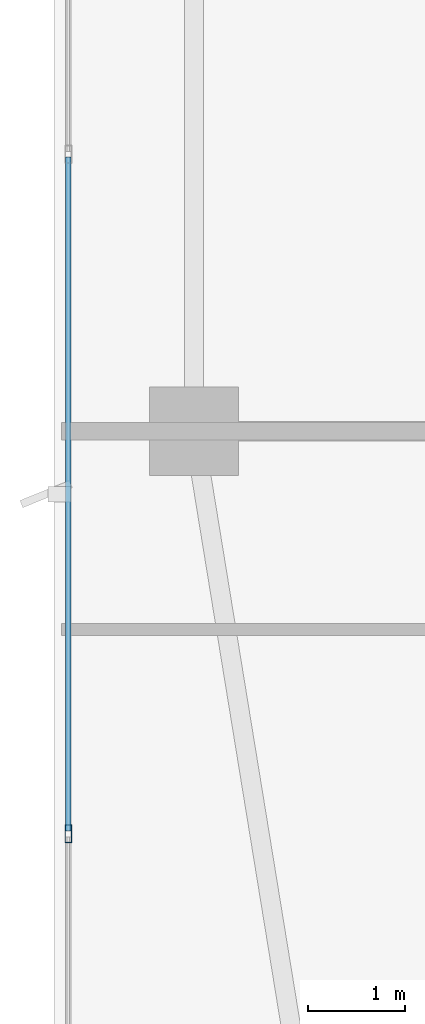
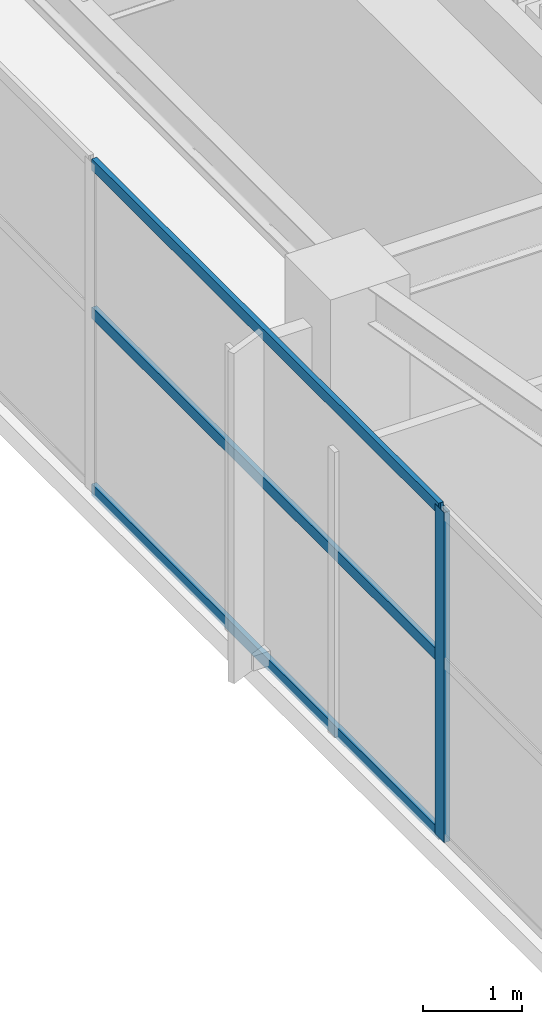
# One storey, part 4 of 27: 4 members, 1 element without a shape of its own.
"""IFC4 building model written with IfcOpenShell, lengths in metres."""

from ifc_helpers import new_model, si_unit, direction, frame, origin, origin_2d, place, context, subcontext, project, spatial, hollow_rectangle, extrude, material, layer, layer_set, material_profile, profile_set, type_object, element, aggregate, save


model = new_model("IFC4")

# Units and contexts
model_context = context("Model", 3, precision=1e-05, world=origin(), true_north=direction((0.0, 1.0)))
body_context = subcontext(model_context, "Body", "Model", "MODEL_VIEW")
ifc_project = project(units=[si_unit("LENGTHUNIT", "METRE"), si_unit("AREAUNIT", "SQUARE_METRE"), si_unit("VOLUMEUNIT", "CUBIC_METRE"), si_unit("PLANEANGLEUNIT", "RADIAN"), si_unit("MASSUNIT", "GRAM", prefix="KILO")], contexts=[model_context])

# Site, building, storey
site_placement = place(None, origin())
site = spatial("IfcSite", under=ifc_project, at=site_placement, CompositionType="ELEMENT")
building_placement = place(site_placement, origin())
building = spatial("IfcBuilding", under=site, at=building_placement, Name="Calvorn Quay Hotel", CompositionType="ELEMENT")
storey_placement = place(building_placement, frame((0.0, 0.0, 239.300048828125)))
storey = spatial("IfcBuildingStorey", under=building, at=storey_placement, Name="L59", CompositionType="ELEMENT", Elevation=239.300048828125)

# Curtain wall, members
ifc_material_1 = material(Name="Champagne Bronze Anodised Aluminium and Low-E Glass", Category="aluminium")
ifc_layer = layer(ifc_material_1, 0.219970703125)
ifc_layer_set = layer_set([ifc_layer], Name="CW-SYS-Z3")
curtain_wall_type = type_object("IfcCurtainWallType", Name="CW-SYS-Z3", PredefinedType="NOTDEFINED", material=ifc_layer_set)
curtain_wall_placement = place(storey_placement, origin())
curtain_wall = element("IfcCurtainWall", 1, at=curtain_wall_placement, inside=storey, type_object=curtain_wall_type, Name="Tower West Curtain Wall (L59)", PredefinedType="NOTDEFINED")
ifc_material_2 = material(Name="Champagne Bronze Anodised Aluminium 6063-T6", Category="aluminium")
ifc_material_profile_1 = material_profile(ifc_material_2, hollow_rectangle(XDim=0.068115234375, YDim=0.18505859375, WallThickness=0.00390625, at=origin_2d()), Name="ALU-M185x68x4")
ifc_profile_set_1 = profile_set([ifc_material_profile_1], Name="Champagne Bronze Anodised Aluminium 6063-T6")
member_type_1 = type_object("IfcMemberType", Name="CW-SYS-Z3-MUL", PredefinedType="MULLION", material=ifc_profile_set_1)
member_1_placement = place(storey_placement, frame((0.14990234375, 12.63330078125, 0.0), z_axis=(0.0, 0.0, 1.0), x_axis=(-1.0, 0.0, 0.0)))
member_1 = element("IfcMember", 2, at=member_1_placement, type_object=member_type_1, Name="CW-L59-W mullion 2", PredefinedType="MULLION", context=body_context, shape_type="SweptSolid", body=[
    extrude(hollow_rectangle(XDim=0.068115234375, YDim=0.18505859375, WallThickness=0.00390625, at=origin_2d()), origin(), (0.0, 0.0, 1.0), 4.050048828125),
])
ifc_material_3 = material(Name="Champagne Bronze Anodised Aluminium 6063-T6", Category="aluminium")
ifc_material_profile_2 = material_profile(ifc_material_3, hollow_rectangle(XDim=0.05810546875, YDim=0.139892578125, WallThickness=0.003173828125, at=origin_2d()), Name="ALU-T140x58x3.2")
ifc_profile_set_2 = profile_set([ifc_material_profile_2], Name="Champagne Bronze Anodised Aluminium 6063-T6")
member_type_2 = type_object("IfcMemberType", Name="CW-SYS-Z3-TRN", PredefinedType="USERDEFINED", material=ifc_profile_set_2)
member_2_placement = place(storey_placement, frame((0.14990234375, 12.663330078125, 0.030029296875), z_axis=(0.0, 1.0, 0.0), x_axis=(-1.0, 0.0, 0.0)))
member_2 = element("IfcMember", 3, at=member_2_placement, type_object=member_type_2, Name="CW-L59-W transom 2.1", ObjectType="TRANSOM", PredefinedType="USERDEFINED", context=body_context, shape_type="SweptSolid", body=[
    extrude(hollow_rectangle(XDim=0.05810546875, YDim=0.139892578125, WallThickness=0.003173828125, at=origin_2d()), origin(), (0.0, 0.0, 1.0), 6.973388671875),
])
member_3_placement = place(storey_placement, frame((0.14990234375, 12.663330078125, 2.199951171875), z_axis=(0.0, 1.0, 0.0), x_axis=(-1.0, 0.0, 0.0)))
member_3 = element("IfcMember", 4, at=member_3_placement, type_object=member_type_2, Name="CW-L59-W transom 2.2", ObjectType="TRANSOM", PredefinedType="USERDEFINED", context=body_context, shape_type="SweptSolid", body=[
    extrude(hollow_rectangle(XDim=0.05810546875, YDim=0.139892578125, WallThickness=0.003173828125, at=origin_2d()), origin(), (0.0, 0.0, 1.0), 6.973388671875),
])
member_4_placement = place(storey_placement, frame((0.14990234375, 12.663330078125, 4.02001953125), z_axis=(0.0, 1.0, 0.0), x_axis=(-1.0, 0.0, 0.0)))
member_4 = element("IfcMember", 5, at=member_4_placement, type_object=member_type_2, Name="CW-L59-W transom 2.3", ObjectType="TRANSOM", PredefinedType="USERDEFINED", context=body_context, shape_type="SweptSolid", body=[
    extrude(hollow_rectangle(XDim=0.05810546875, YDim=0.139892578125, WallThickness=0.003173828125, at=origin_2d()), origin(), (0.0, 0.0, 1.0), 6.973388671875),
])
aggregate(curtain_wall, [member_1, member_2, member_3, member_4])

save(model, "model.ifc")
